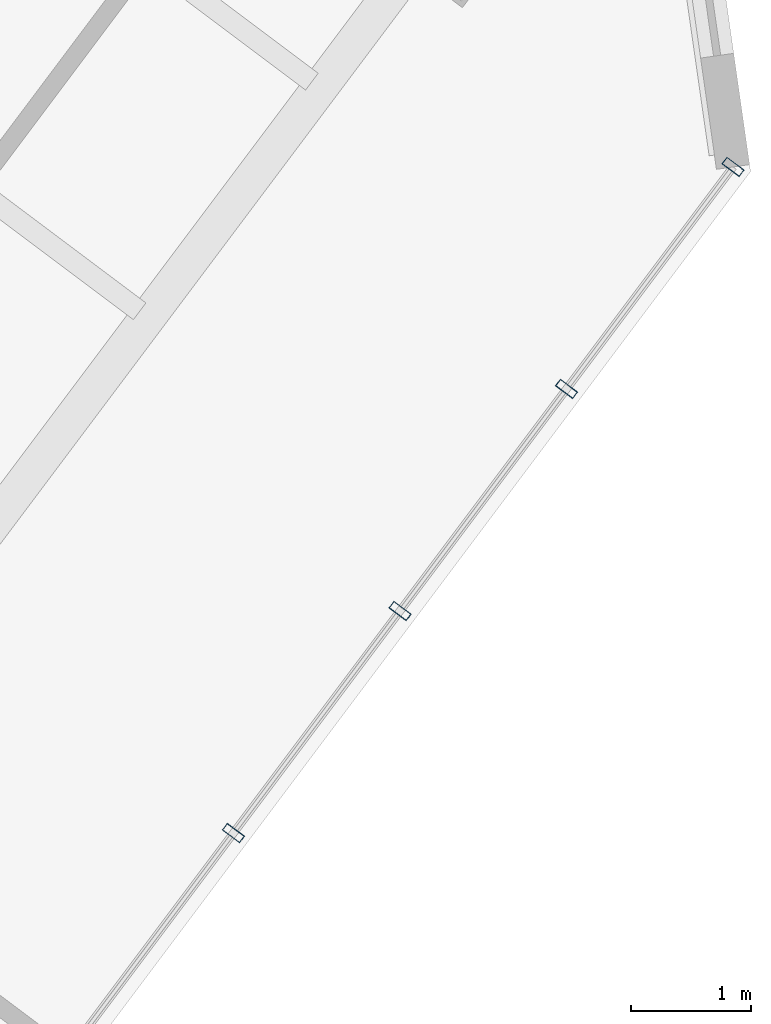
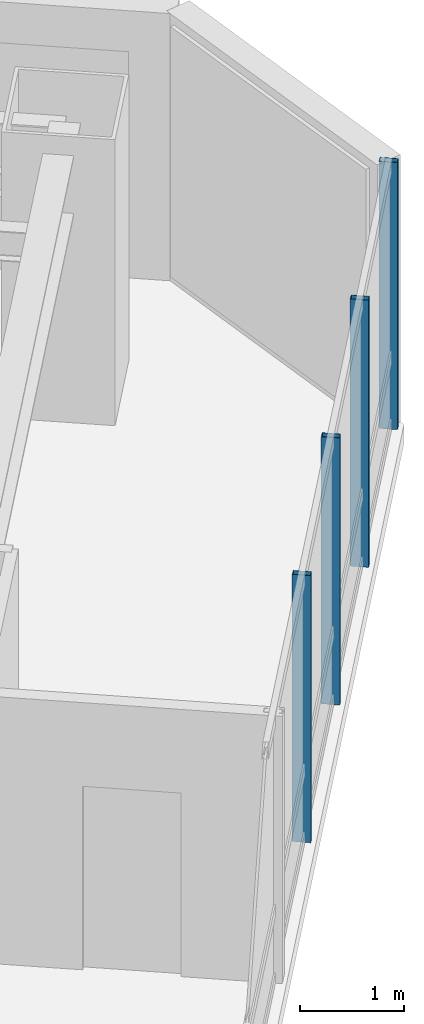
# One storey, part 19 of 33: 4 members, 1 element without a shape of its own.
"""IFC4 building model written with IfcOpenShell, lengths in metres."""

from ifc_helpers import new_model, si_unit, direction, frame, origin, origin_2d, place, context, subcontext, project, spatial, hollow_rectangle, extrude, material, layer, layer_set, material_profile, profile_set, type_object, element, aggregate, save


model = new_model("IFC4")

# Units and contexts
model_context = context("Model", 3, precision=1e-05, world=origin(), true_north=direction((0.0, 1.0)))
body_context = subcontext(model_context, "Body", "Model", "MODEL_VIEW")
ifc_project = project(units=[si_unit("LENGTHUNIT", "METRE"), si_unit("AREAUNIT", "SQUARE_METRE"), si_unit("VOLUMEUNIT", "CUBIC_METRE"), si_unit("PLANEANGLEUNIT", "RADIAN"), si_unit("MASSUNIT", "GRAM", prefix="KILO")], contexts=[model_context])

# Site, building, storey
site_placement = place(None, origin())
site = spatial("IfcSite", under=ifc_project, at=site_placement, CompositionType="ELEMENT")
building_placement = place(site_placement, origin())
building = spatial("IfcBuilding", under=site, at=building_placement, Name="Hatsunagi Terrace Concourse", CompositionType="ELEMENT")
storey_placement = place(building_placement, frame((0.0, 0.0, 43.300048828125)))
storey = spatial("IfcBuildingStorey", under=building, at=storey_placement, Name="L10", CompositionType="ELEMENT", Elevation=43.300048828125)

# Curtain wall, members
ifc_material_1 = material(Name="Anodised Aluminium Alloy 6063-T5", Category="aluminium")
ifc_layer = layer(ifc_material_1, 0.199951171875)
ifc_layer_set = layer_set([ifc_layer], Name="HotelFacade_CW02")
curtain_wall_type = type_object("IfcCurtainWallType", Name="HotelFacade_CW02", PredefinedType="NOTDEFINED", material=ifc_layer_set)
curtain_wall_placement = place(storey_placement, origin())
curtain_wall = element("IfcCurtainWall", 1, at=curtain_wall_placement, inside=storey, type_object=curtain_wall_type, Name="Unitised Curtain Wall CW-02 CW-L10-03", PredefinedType="NOTDEFINED")
ifc_material_2 = material(Name="Anodised Aluminium Alloy 6063-T5", Category="aluminium")
ifc_material_profile = material_profile(ifc_material_2, hollow_rectangle(XDim=0.070068359375, YDim=0.179931640625, WallThickness=0.00390625, at=origin_2d()), Name="ALU-MUL-180x70x4")
ifc_profile_set = profile_set([ifc_material_profile], Name="Anodised Aluminium Alloy 6063-T5")
member_type = type_object("IfcMemberType", Name="CurtainWallMullion_180x70", PredefinedType="MULLION", material=ifc_profile_set)
member_1_placement = place(storey_placement, frame((69.093017578125, 19.657958984375, 0.0), z_axis=(0.0, 0.0, 1.0), x_axis=(-0.599969314634, -0.800023013105, 0.0)))
member_1 = element("IfcMember", 2, at=member_1_placement, type_object=member_type, Name="Curtain Wall Mullion MUL-02", PredefinedType="MULLION", context=body_context, shape_type="SweptSolid", body=[
    extrude(hollow_rectangle(XDim=0.070068359375, YDim=0.179931640625, WallThickness=0.00390625, at=origin_2d()), origin(), (0.0, 0.0, 1.0), 3.1298828125),
])
member_2_placement = place(storey_placement, frame((67.700927734375, 17.802001953125, 0.0), z_axis=(0.0, 0.0, 1.0), x_axis=(-0.599969314634, -0.800023013105, 0.0)))
member_2 = element("IfcMember", 3, at=member_2_placement, type_object=member_type, Name="Curtain Wall Mullion MUL-02", PredefinedType="MULLION", context=body_context, shape_type="SweptSolid", body=[
    extrude(hollow_rectangle(XDim=0.070068359375, YDim=0.179931640625, WallThickness=0.00390625, at=origin_2d()), origin(), (0.0, 0.0, 1.0), 3.1298828125),
])
member_3_placement = place(storey_placement, frame((66.30908203125, 15.945068359375, 0.0), z_axis=(0.0, 0.0, 1.0), x_axis=(-0.599969314634, -0.800023013105, 0.0)))
member_3 = element("IfcMember", 4, at=member_3_placement, type_object=member_type, Name="Curtain Wall Mullion MUL-02", PredefinedType="MULLION", context=body_context, shape_type="SweptSolid", body=[
    extrude(hollow_rectangle(XDim=0.070068359375, YDim=0.179931640625, WallThickness=0.00390625, at=origin_2d()), origin(), (0.0, 0.0, 1.0), 3.1298828125),
])
member_4_placement = place(storey_placement, frame((64.916015625, 14.089111328125, 0.0), z_axis=(0.0, 0.0, 1.0), x_axis=(-0.599969314634, -0.800023013105, 0.0)))
member_4 = element("IfcMember", 5, at=member_4_placement, type_object=member_type, Name="Curtain Wall Mullion MUL-02", PredefinedType="MULLION", context=body_context, shape_type="SweptSolid", body=[
    extrude(hollow_rectangle(XDim=0.070068359375, YDim=0.179931640625, WallThickness=0.00390625, at=origin_2d()), origin(), (0.0, 0.0, 1.0), 3.1298828125),
])
aggregate(curtain_wall, [member_1, member_2, member_3, member_4])

save(model, "model.ifc")
